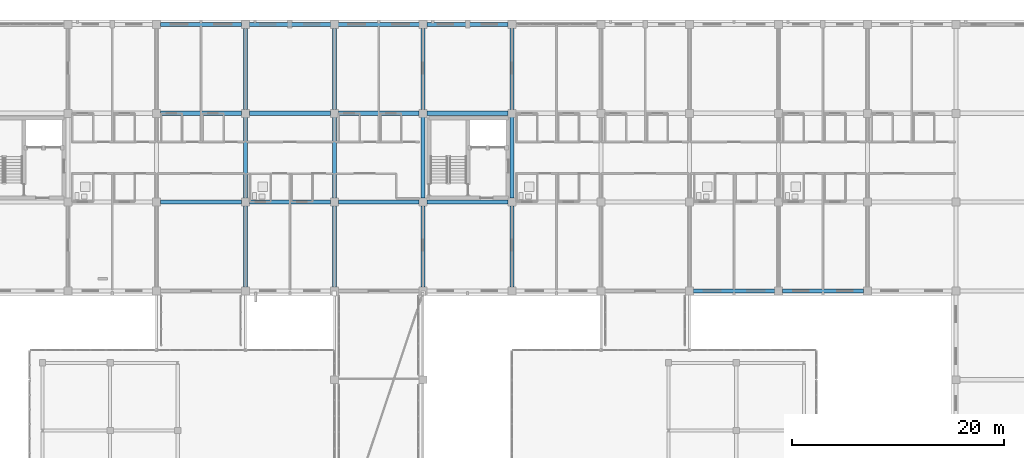
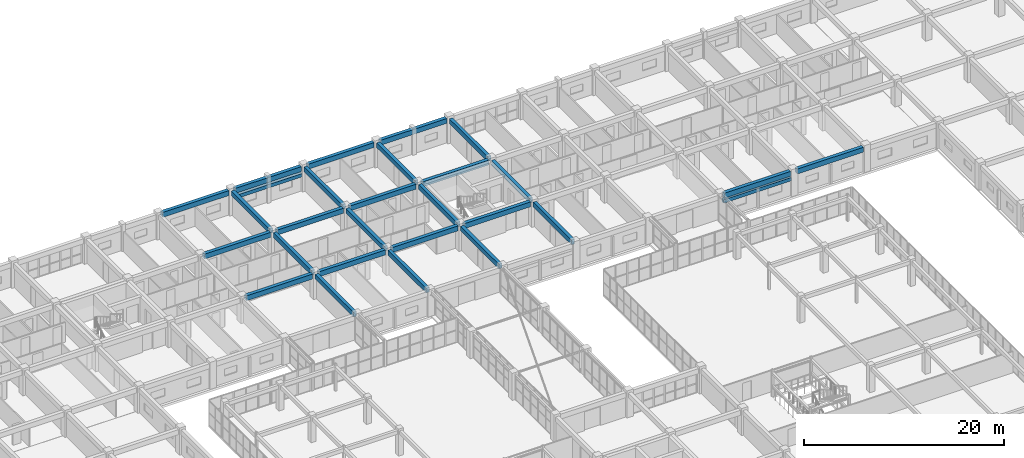
# One storey, part 120 of 200: 28 beams.
"""IFC4 building model written with IfcOpenShell, lengths in metres."""

from ifc_helpers import new_model, si_unit, direction, frame, origin, origin_2d, place, context, subcontext, project, spatial, rectangle, extrude, material, material_profile, profile_set, type_object, element, save


model = new_model("IFC4")

# Units and contexts
model_context = context("Model", 3, precision=1e-05, world=origin(), true_north=direction((0.0, 1.0)))
body_context = subcontext(model_context, "Body", "Model", "MODEL_VIEW")
ifc_project = project(units=[si_unit("LENGTHUNIT", "METRE"), si_unit("AREAUNIT", "SQUARE_METRE"), si_unit("VOLUMEUNIT", "CUBIC_METRE"), si_unit("PLANEANGLEUNIT", "RADIAN"), si_unit("MASSUNIT", "GRAM", prefix="KILO")], contexts=[model_context])

# Site, building, storey
site_placement = place(None, origin())
site = spatial("IfcSite", under=ifc_project, at=site_placement, CompositionType="ELEMENT")
building_placement = place(site_placement, origin())
building = spatial("IfcBuilding", under=site, at=building_placement, Name="Trelvath General Hospital", CompositionType="ELEMENT")
storey_placement = place(building_placement, frame((0.0, 0.0, 4.800048828125)))
storey = spatial("IfcBuildingStorey", under=building, at=storey_placement, Name="L01", CompositionType="ELEMENT", Elevation=4.800048828125)

# Beams
ifc_material_1 = material(Name="Concrete C35/45", Category="concrete")
ifc_material_profile_1 = material_profile(ifc_material_1, rectangle(XDim=0.3798828125, YDim=0.580078125, at=origin_2d()), Name="RCB380x580")
ifc_profile_set_1 = profile_set([ifc_material_profile_1], Name="Concrete C35/45")
beam_type_1 = type_object("IfcBeamType", Name="Beam RC380x580", PredefinedType="BEAM", material=ifc_profile_set_1)
beam_1_placement = place(storey_placement, frame((67.199951171875, 92.77001953125, 2.72998046875), z_axis=(0.0, 1.0, 0.0), x_axis=(-1.0, 0.0, 0.0)))
element("IfcBeam", 1, at=beam_1_placement, inside=storey, type_object=beam_type_1, Name="Grid Beam BY-108L", PredefinedType="BEAM", context=body_context, shape_type="SweptSolid", body=[
    extrude(rectangle(XDim=0.3798828125, YDim=0.580078125, at=origin_2d()), origin(), (0.0, 0.0, 1.0), 7.655029296875),
])
beam_2_placement = place(storey_placement, frame((67.199951171875, 101.175048828125, 2.72998046875), z_axis=(0.0, 1.0, 0.0), x_axis=(-1.0, 0.0, 0.0)))
element("IfcBeam", 2, at=beam_2_placement, inside=storey, type_object=beam_type_1, Name="Grid Beam BY-108M", PredefinedType="BEAM", context=body_context, shape_type="SweptSolid", body=[
    extrude(rectangle(XDim=0.3798828125, YDim=0.580078125, at=origin_2d()), origin(), (0.0, 0.0, 1.0), 7.64990234375),
])
for number, where, z_axis, x_axis, name in (
    (3, (67.199951171875, 109.574951171875, 2.72998046875), (0.0, 1.0, 0.0), (-1.0, 0.0, 0.0), "Grid Beam BY-108N"),
    (4, (75.60009765625, 92.77001953125, 2.72998046875), (0.0, 1.0, 0.0), (-1.0, 0.0, 0.0), "Grid Beam BY-109L"),
):
    element("IfcBeam", number, at=place(storey_placement, frame(where, z_axis=z_axis, x_axis=x_axis)), inside=storey, type_object=beam_type_1, Name=name, PredefinedType="BEAM", context=body_context, shape_type="SweptSolid", body=[
        extrude(rectangle(XDim=0.3798828125, YDim=0.580078125, at=origin_2d()), origin(), (0.0, 0.0, 1.0), 7.655029296875),
    ])
beam_3_placement = place(storey_placement, frame((75.60009765625, 101.175048828125, 2.72998046875), z_axis=(0.0, 1.0, 0.0), x_axis=(-1.0, 0.0, 0.0)))
element("IfcBeam", 5, at=beam_3_placement, inside=storey, type_object=beam_type_1, Name="Grid Beam BY-109M", PredefinedType="BEAM", context=body_context, shape_type="SweptSolid", body=[
    extrude(rectangle(XDim=0.3798828125, YDim=0.580078125, at=origin_2d()), origin(), (0.0, 0.0, 1.0), 7.64990234375),
])
for number, where, z_axis, x_axis, name in (
    (6, (75.60009765625, 109.574951171875, 2.72998046875), (0.0, 1.0, 0.0), (-1.0, 0.0, 0.0), "Grid Beam BY-109N"),
    (7, (84.0, 92.77001953125, 2.72998046875), (0.0, 1.0, 0.0), (-1.0, 0.0, 0.0), "Grid Beam BY-110L"),
):
    element("IfcBeam", number, at=place(storey_placement, frame(where, z_axis=z_axis, x_axis=x_axis)), inside=storey, type_object=beam_type_1, Name=name, PredefinedType="BEAM", context=body_context, shape_type="SweptSolid", body=[
        extrude(rectangle(XDim=0.3798828125, YDim=0.580078125, at=origin_2d()), origin(), (0.0, 0.0, 1.0), 7.655029296875),
    ])
beam_4_placement = place(storey_placement, frame((84.0, 101.175048828125, 2.72998046875), z_axis=(0.0, 1.0, 0.0), x_axis=(-1.0, 0.0, 0.0)))
element("IfcBeam", 8, at=beam_4_placement, inside=storey, type_object=beam_type_1, Name="Grid Beam BY-110M", PredefinedType="BEAM", context=body_context, shape_type="SweptSolid", body=[
    extrude(rectangle(XDim=0.3798828125, YDim=0.580078125, at=origin_2d()), origin(), (0.0, 0.0, 1.0), 7.64990234375),
])
for number, where, z_axis, x_axis, name in (
    (9, (84.0, 109.574951171875, 2.72998046875), (0.0, 1.0, 0.0), (-1.0, 0.0, 0.0), "Grid Beam BY-110N"),
    (10, (92.39990234375, 92.77001953125, 2.72998046875), (0.0, 1.0, 0.0), (-1.0, 0.0, 0.0), "Grid Beam BY-111L"),
):
    element("IfcBeam", number, at=place(storey_placement, frame(where, z_axis=z_axis, x_axis=x_axis)), inside=storey, type_object=beam_type_1, Name=name, PredefinedType="BEAM", context=body_context, shape_type="SweptSolid", body=[
        extrude(rectangle(XDim=0.3798828125, YDim=0.580078125, at=origin_2d()), origin(), (0.0, 0.0, 1.0), 7.655029296875),
    ])
beam_5_placement = place(storey_placement, frame((92.39990234375, 101.175048828125, 2.72998046875), z_axis=(0.0, 1.0, 0.0), x_axis=(-1.0, 0.0, 0.0)))
element("IfcBeam", 11, at=beam_5_placement, inside=storey, type_object=beam_type_1, Name="Grid Beam BY-111M", PredefinedType="BEAM", context=body_context, shape_type="SweptSolid", body=[
    extrude(rectangle(XDim=0.3798828125, YDim=0.580078125, at=origin_2d()), origin(), (0.0, 0.0, 1.0), 7.64990234375),
])
beam_6_placement = place(storey_placement, frame((92.39990234375, 109.574951171875, 2.72998046875), z_axis=(0.0, 1.0, 0.0), x_axis=(-1.0, 0.0, 0.0)))
element("IfcBeam", 12, at=beam_6_placement, inside=storey, type_object=beam_type_1, Name="Grid Beam BY-111N", PredefinedType="BEAM", context=body_context, shape_type="SweptSolid", body=[
    extrude(rectangle(XDim=0.3798828125, YDim=0.580078125, at=origin_2d()), origin(), (0.0, 0.0, 1.0), 7.655029296875),
])
ifc_material_2 = material(Name="Concrete C35/45", Category="concrete")
ifc_material_profile_2 = material_profile(ifc_material_2, rectangle(XDim=0.39990234375, YDim=0.60009765625, at=origin_2d()), Name="RCB400x600")
ifc_profile_set_2 = profile_set([ifc_material_profile_2], Name="Concrete C35/45")
beam_type_2 = type_object("IfcBeamType", Name="Beam RC400x600", PredefinedType="BEAM", material=ifc_profile_set_2)
for number, where, z_axis, x_axis, name in (
    (13, (59.175048828125, 100.800048828125, 2.719970703125), (1.0, 0.0, 0.0), (0.0, 1.0, 0.0), "Grid Beam BX-107M"),
    (14, (59.175048828125, 109.199951171875, 2.719970703125), (1.0, 0.0, 0.0), (0.0, 1.0, 0.0), "Grid Beam BX-107N"),
):
    element("IfcBeam", number, at=place(storey_placement, frame(where, z_axis=z_axis, x_axis=x_axis)), inside=storey, type_object=beam_type_2, Name=name, PredefinedType="BEAM", context=body_context, shape_type="SweptSolid", body=[
        extrude(rectangle(XDim=0.39990234375, YDim=0.60009765625, at=origin_2d()), origin(), (0.0, 0.0, 1.0), 7.64990234375),
    ])
beam_7_placement = place(storey_placement, frame((59.169921875, 117.60009765625, 2.719970703125), z_axis=(1.0, 0.0, 0.0), x_axis=(0.0, 1.0, 0.0)))
element("IfcBeam", 15, at=beam_7_placement, inside=storey, type_object=beam_type_2, Name="Grid Beam BX-107O", PredefinedType="BEAM", context=body_context, shape_type="SweptSolid", body=[
    extrude(rectangle(XDim=0.39990234375, YDim=0.60009765625, at=origin_2d()), origin(), (0.0, 0.0, 1.0), 7.66015625),
])
for number, where, z_axis, x_axis, name in (
    (16, (67.574951171875, 100.800048828125, 2.719970703125), (1.0, 0.0, 0.0), (0.0, 1.0, 0.0), "Grid Beam BX-108M"),
    (17, (67.574951171875, 109.199951171875, 2.719970703125), (1.0, 0.0, 0.0), (0.0, 1.0, 0.0), "Grid Beam BX-108N"),
):
    element("IfcBeam", number, at=place(storey_placement, frame(where, z_axis=z_axis, x_axis=x_axis)), inside=storey, type_object=beam_type_2, Name=name, PredefinedType="BEAM", context=body_context, shape_type="SweptSolid", body=[
        extrude(rectangle(XDim=0.39990234375, YDim=0.60009765625, at=origin_2d()), origin(), (0.0, 0.0, 1.0), 7.650146484375),
    ])
beam_8_placement = place(storey_placement, frame((67.570068359375, 117.60009765625, 2.719970703125), z_axis=(1.0, 0.0, 0.0), x_axis=(0.0, 1.0, 0.0)))
element("IfcBeam", 18, at=beam_8_placement, inside=storey, type_object=beam_type_2, Name="Grid Beam BX-108O", PredefinedType="BEAM", context=body_context, shape_type="SweptSolid", body=[
    extrude(rectangle(XDim=0.39990234375, YDim=0.60009765625, at=origin_2d()), origin(), (0.0, 0.0, 1.0), 7.659912109375),
])
for number, where, z_axis, x_axis, name in (
    (19, (75.97509765625, 100.800048828125, 2.719970703125), (1.0, 0.0, 0.0), (0.0, 1.0, 0.0), "Grid Beam BX-109M"),
    (20, (75.97509765625, 109.199951171875, 2.719970703125), (1.0, 0.0, 0.0), (0.0, 1.0, 0.0), "Grid Beam BX-109N"),
):
    element("IfcBeam", number, at=place(storey_placement, frame(where, z_axis=z_axis, x_axis=x_axis)), inside=storey, type_object=beam_type_2, Name=name, PredefinedType="BEAM", context=body_context, shape_type="SweptSolid", body=[
        extrude(rectangle(XDim=0.39990234375, YDim=0.60009765625, at=origin_2d()), origin(), (0.0, 0.0, 1.0), 7.64990234375),
    ])
beam_9_placement = place(storey_placement, frame((75.969970703125, 117.60009765625, 2.719970703125), z_axis=(1.0, 0.0, 0.0), x_axis=(0.0, 1.0, 0.0)))
element("IfcBeam", 21, at=beam_9_placement, inside=storey, type_object=beam_type_2, Name="Grid Beam BX-109O", PredefinedType="BEAM", context=body_context, shape_type="SweptSolid", body=[
    extrude(rectangle(XDim=0.39990234375, YDim=0.60009765625, at=origin_2d()), origin(), (0.0, 0.0, 1.0), 7.659912109375),
])
for number, where, z_axis, x_axis, name in (
    (22, (84.375, 100.800048828125, 2.719970703125), (1.0, 0.0, 0.0), (0.0, 1.0, 0.0), "Grid Beam BX-110M"),
    (23, (84.375, 109.199951171875, 2.719970703125), (1.0, 0.0, 0.0), (0.0, 1.0, 0.0), "Grid Beam BX-110N"),
):
    element("IfcBeam", number, at=place(storey_placement, frame(where, z_axis=z_axis, x_axis=x_axis)), inside=storey, type_object=beam_type_2, Name=name, PredefinedType="BEAM", context=body_context, shape_type="SweptSolid", body=[
        extrude(rectangle(XDim=0.39990234375, YDim=0.60009765625, at=origin_2d()), origin(), (0.0, 0.0, 1.0), 7.64990234375),
    ])
for number, where, z_axis, x_axis, name in (
    (24, (84.3701171875, 117.60009765625, 2.719970703125), (1.0, 0.0, 0.0), (0.0, 1.0, 0.0), "Grid Beam BX-110O"),
    (25, (109.570068359375, 92.39990234375, 2.719970703125), (1.0, 0.0, 0.0), (0.0, 1.0, 0.0), "Grid Beam BX-113L"),
    (26, (117.969970703125, 92.39990234375, 2.719970703125), (1.0, 0.0, 0.0), (0.0, 1.0, 0.0), "Grid Beam BX-114L"),
):
    element("IfcBeam", number, at=place(storey_placement, frame(where, z_axis=z_axis, x_axis=x_axis)), inside=storey, type_object=beam_type_2, Name=name, PredefinedType="BEAM", context=body_context, shape_type="SweptSolid", body=[
        extrude(rectangle(XDim=0.39990234375, YDim=0.60009765625, at=origin_2d()), origin(), (0.0, 0.0, 1.0), 7.659912109375),
    ])
ifc_material_3 = material(Name="Precast concrete C40/50", Category="concrete")
ifc_material_profile_3 = material_profile(ifc_material_3, rectangle(XDim=0.35009765625, YDim=0.419921875, at=origin_2d()), Name="PCL350x420")
ifc_profile_set_3 = profile_set([ifc_material_profile_3], Name="Precast concrete C40/50")
beam_type_3 = type_object("IfcBeamType", Name="Lintel PC350x420", PredefinedType="LINTEL", material=ifc_profile_set_3)
for number, where, z_axis, x_axis, name in (
    (27, (67.489990234375, 117.60009765625, 1.919921875), (1.0, 0.0, 0.0), (0.0, 1.0, 0.0), "Precast Window Brow Lintel L01-153"),
    (28, (117.31005859375, 92.39990234375, 2.02001953125), (-1.0, 0.0, 0.0), (0.0, -1.0, 0.0), "Precast Window Brow Lintel L01-178"),
):
    element("IfcBeam", number, at=place(storey_placement, frame(where, z_axis=z_axis, x_axis=x_axis)), inside=storey, type_object=beam_type_3, Name=name, PredefinedType="LINTEL", context=body_context, shape_type="SweptSolid", body=[
        extrude(rectangle(XDim=0.35009765625, YDim=0.419921875, at=origin_2d()), origin(), (0.0, 0.0, 1.0), 7.820068359375),
    ])

save(model, "model.ifc")
